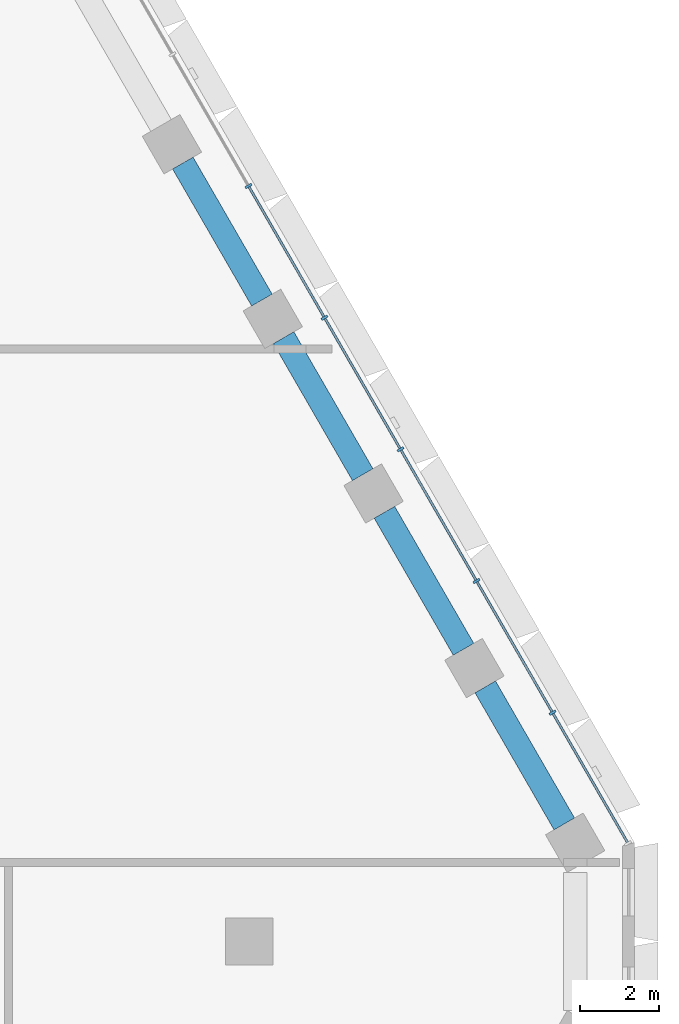
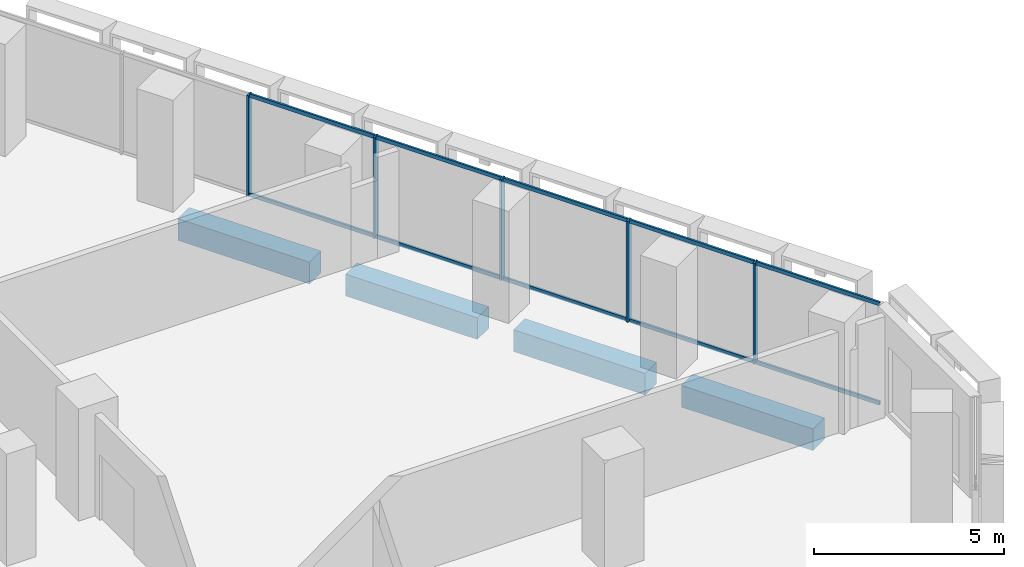
# One storey, part 8 of 25: 15 members, 4 beams, 1 element without a shape of its own.
"""IFC4 building model written with IfcOpenShell, lengths in metres."""

from ifc_helpers import new_model, si_unit, direction, frame, origin, origin_2d, place, context, subcontext, project, spatial, rectangle, hollow_rectangle, extrude, material, material_profile, profile_set, type_object, element, aggregate, save


model = new_model("IFC4")

# Units and contexts
model_context = context("Model", 3, precision=1e-05, world=origin(), true_north=direction((0.0, 1.0)))
body_context = subcontext(model_context, "Body", "Model", "MODEL_VIEW")
ifc_project = project(units=[si_unit("LENGTHUNIT", "METRE"), si_unit("AREAUNIT", "SQUARE_METRE"), si_unit("VOLUMEUNIT", "CUBIC_METRE"), si_unit("PLANEANGLEUNIT", "RADIAN"), si_unit("MASSUNIT", "GRAM", prefix="KILO")], contexts=[model_context])

# Site, building, storey
site_placement = place(None, origin())
site = spatial("IfcSite", under=ifc_project, at=site_placement, CompositionType="ELEMENT")
building_placement = place(site_placement, origin())
building = spatial("IfcBuilding", under=site, at=building_placement, Name="Beryl Residences", CompositionType="ELEMENT")
storey_placement = place(building_placement, frame((0.0, 0.0, 16.199951171875)))
storey = spatial("IfcBuildingStorey", under=building, at=storey_placement, Name="L04", CompositionType="ELEMENT", Elevation=16.199951171875)

# Curtain wall, members
ifc_material_1 = material(Name="Aluminium and clear glass", Category="aluminium")
curtain_wall_type = type_object("IfcCurtainWallType", Name="CW2 amenity glazing glazed wall", PredefinedType="NOTDEFINED", material=ifc_material_1)
curtain_wall_placement = place(storey_placement, origin())
curtain_wall = element("IfcCurtainWall", 1, at=curtain_wall_placement, inside=storey, type_object=curtain_wall_type, Name="CW2 L04 NE", PredefinedType="NOTDEFINED")
ifc_material_2 = material(Name="Aluminium", Category="aluminium")
ifc_material_profile_1 = material_profile(ifc_material_2, rectangle(XDim=0.06005859375, YDim=0.179931640625, at=origin_2d()))
ifc_profile_set_1 = profile_set([ifc_material_profile_1], Name="Aluminium")
member_type_1 = type_object("IfcMemberType", Name="CW2-M mullion 60 x 180 mm", PredefinedType="MULLION", material=ifc_profile_set_1)
member_1_placement = place(storey_placement, frame((29.275634765625, 5.79296875, 0.0), z_axis=(0.0, 0.0, 1.0), x_axis=(-0.500011643322, 0.866018681405, 0.0)))
member_1 = element("IfcMember", 2, at=member_1_placement, type_object=member_type_1, Name="CW2 mullion 2", PredefinedType="MULLION", context=body_context, shape_type="SweptSolid", body=[
    extrude(rectangle(XDim=0.06005859375, YDim=0.179931640625, at=origin_2d()), origin(), (0.0, 0.0, 1.0), 3.25),
])
member_2_placement = place(storey_placement, frame((27.351318359375, 9.125732421875, 0.0), z_axis=(0.0, 0.0, 1.0), x_axis=(-0.500011643322, 0.866018681405, 0.0)))
member_2 = element("IfcMember", 3, at=member_2_placement, type_object=member_type_1, Name="CW2 mullion 3", PredefinedType="MULLION", context=body_context, shape_type="SweptSolid", body=[
    extrude(rectangle(XDim=0.06005859375, YDim=0.179931640625, at=origin_2d()), origin(), (0.0, 0.0, 1.0), 3.25),
])
member_3_placement = place(storey_placement, frame((25.42724609375, 12.45849609375, 0.0), z_axis=(0.0, 0.0, 1.0), x_axis=(-0.500011643322, 0.866018681405, 0.0)))
member_3 = element("IfcMember", 4, at=member_3_placement, type_object=member_type_1, Name="CW2 mullion 4", PredefinedType="MULLION", context=body_context, shape_type="SweptSolid", body=[
    extrude(rectangle(XDim=0.06005859375, YDim=0.179931640625, at=origin_2d()), origin(), (0.0, 0.0, 1.0), 3.25),
])
member_4_placement = place(storey_placement, frame((23.5029296875, 15.79150390625, 0.0), z_axis=(0.0, 0.0, 1.0), x_axis=(-0.500011643322, 0.866018681405, 0.0)))
member_4 = element("IfcMember", 5, at=member_4_placement, type_object=member_type_1, Name="CW2 mullion 5", PredefinedType="MULLION", context=body_context, shape_type="SweptSolid", body=[
    extrude(rectangle(XDim=0.06005859375, YDim=0.179931640625, at=origin_2d()), origin(), (0.0, 0.0, 1.0), 3.25),
])
member_5_placement = place(storey_placement, frame((21.57861328125, 19.124267578125, 0.0), z_axis=(0.0, 0.0, 1.0), x_axis=(-0.500011643322, 0.866018681405, 0.0)))
member_5 = element("IfcMember", 6, at=member_5_placement, type_object=member_type_1, Name="CW2 mullion 6", PredefinedType="MULLION", context=body_context, shape_type="SweptSolid", body=[
    extrude(rectangle(XDim=0.06005859375, YDim=0.179931640625, at=origin_2d()), origin(), (0.0, 0.0, 1.0), 3.25),
])
ifc_material_3 = material(Name="Aluminium", Category="aluminium")
ifc_material_profile_2 = material_profile(ifc_material_3, hollow_rectangle(XDim=0.06005859375, YDim=0.1201171875, WallThickness=0.00390625, at=origin_2d()))
ifc_profile_set_2 = profile_set([ifc_material_profile_2], Name="Aluminium")
member_type_2 = type_object("IfcMemberType", Name="CW2-T transom 60 x 120 mm", PredefinedType="USERDEFINED", material=ifc_profile_set_2)
member_6_placement = place(storey_placement, frame((31.169921875, 2.511962890625, 0.030029296875), z_axis=(-0.499988609959, 0.866031979728, 0.0), x_axis=(-0.866031979728, -0.499988609959, 0.0)))
member_6 = element("IfcMember", 7, at=member_6_placement, type_object=member_type_2, Name="CW2 transom 1.1", ObjectType="TRANSOM", PredefinedType="USERDEFINED", context=body_context, shape_type="SweptSolid", body=[
    extrude(hollow_rectangle(XDim=0.06005859375, YDim=0.1201171875, WallThickness=0.00390625, at=origin_2d()), origin(), (0.0, 0.0, 1.0), 3.75830078125),
])
member_7_placement = place(storey_placement, frame((31.169921875, 2.511962890625, 3.219970703125), z_axis=(-0.499988609959, 0.866031979728, 0.0), x_axis=(-0.866031979728, -0.499988609959, 0.0)))
member_7 = element("IfcMember", 8, at=member_7_placement, type_object=member_type_2, Name="CW2 transom 1.2", ObjectType="TRANSOM", PredefinedType="USERDEFINED", context=body_context, shape_type="SweptSolid", body=[
    extrude(hollow_rectangle(XDim=0.06005859375, YDim=0.1201171875, WallThickness=0.00390625, at=origin_2d()), origin(), (0.0, 0.0, 1.0), 3.75830078125),
])
member_8_placement = place(storey_placement, frame((29.2607421875, 5.81884765625, 0.030029296875), z_axis=(-0.499999503755, 0.866025690291, 0.0), x_axis=(-0.866025690291, -0.499999503755, 0.0)))
member_8 = element("IfcMember", 9, at=member_8_placement, type_object=member_type_2, Name="CW2 transom 2.1", ObjectType="TRANSOM", PredefinedType="USERDEFINED", context=body_context, shape_type="SweptSolid", body=[
    extrude(hollow_rectangle(XDim=0.06005859375, YDim=0.1201171875, WallThickness=0.00390625, at=origin_2d()), origin(), (0.0, 0.0, 1.0), 3.78857421875),
])
member_9_placement = place(storey_placement, frame((29.2607421875, 5.81884765625, 3.219970703125), z_axis=(-0.499999503755, 0.866025690291, 0.0), x_axis=(-0.866025690291, -0.499999503755, 0.0)))
member_9 = element("IfcMember", 10, at=member_9_placement, type_object=member_type_2, Name="CW2 transom 2.2", ObjectType="TRANSOM", PredefinedType="USERDEFINED", context=body_context, shape_type="SweptSolid", body=[
    extrude(hollow_rectangle(XDim=0.06005859375, YDim=0.1201171875, WallThickness=0.00390625, at=origin_2d()), origin(), (0.0, 0.0, 1.0), 3.78857421875),
])
member_10_placement = place(storey_placement, frame((27.33642578125, 9.151611328125, 0.030029296875), z_axis=(-0.499999503755, 0.866025690291, 0.0), x_axis=(-0.866025690291, -0.499999503755, 0.0)))
member_10 = element("IfcMember", 11, at=member_10_placement, type_object=member_type_2, Name="CW2 transom 3.1", ObjectType="TRANSOM", PredefinedType="USERDEFINED", context=body_context, shape_type="SweptSolid", body=[
    extrude(hollow_rectangle(XDim=0.06005859375, YDim=0.1201171875, WallThickness=0.00390625, at=origin_2d()), origin(), (0.0, 0.0, 1.0), 3.78857421875),
])
member_11_placement = place(storey_placement, frame((27.33642578125, 9.151611328125, 3.219970703125), z_axis=(-0.499999503755, 0.866025690291, 0.0), x_axis=(-0.866025690291, -0.499999503755, 0.0)))
member_11 = element("IfcMember", 12, at=member_11_placement, type_object=member_type_2, Name="CW2 transom 3.2", ObjectType="TRANSOM", PredefinedType="USERDEFINED", context=body_context, shape_type="SweptSolid", body=[
    extrude(hollow_rectangle(XDim=0.06005859375, YDim=0.1201171875, WallThickness=0.00390625, at=origin_2d()), origin(), (0.0, 0.0, 1.0), 3.78857421875),
])
member_12_placement = place(storey_placement, frame((25.412109375, 12.484619140625, 0.030029296875), z_axis=(-0.500027408906, 0.866009578667, 0.0), x_axis=(-0.866009578667, -0.500027408906, 0.0)))
member_12 = element("IfcMember", 13, at=member_12_placement, type_object=member_type_2, Name="CW2 transom 4.1", ObjectType="TRANSOM", PredefinedType="USERDEFINED", context=body_context, shape_type="SweptSolid", body=[
    extrude(hollow_rectangle(XDim=0.06005859375, YDim=0.1201171875, WallThickness=0.00390625, at=origin_2d()), origin(), (0.0, 0.0, 1.0), 3.788330078125),
])
member_13_placement = place(storey_placement, frame((25.412109375, 12.484619140625, 3.219970703125), z_axis=(-0.500027408906, 0.866009578667, 0.0), x_axis=(-0.866009578667, -0.500027408906, 0.0)))
member_13 = element("IfcMember", 14, at=member_13_placement, type_object=member_type_2, Name="CW2 transom 4.2", ObjectType="TRANSOM", PredefinedType="USERDEFINED", context=body_context, shape_type="SweptSolid", body=[
    extrude(hollow_rectangle(XDim=0.06005859375, YDim=0.1201171875, WallThickness=0.00390625, at=origin_2d()), origin(), (0.0, 0.0, 1.0), 3.788330078125),
])
member_14_placement = place(storey_placement, frame((23.48779296875, 15.8173828125, 0.030029296875), z_axis=(-0.499999503755, 0.866025690291, 0.0), x_axis=(-0.866025690291, -0.499999503755, 0.0)))
member_14 = element("IfcMember", 15, at=member_14_placement, type_object=member_type_2, Name="CW2 transom 5.1", ObjectType="TRANSOM", PredefinedType="USERDEFINED", context=body_context, shape_type="SweptSolid", body=[
    extrude(hollow_rectangle(XDim=0.06005859375, YDim=0.1201171875, WallThickness=0.00390625, at=origin_2d()), origin(), (0.0, 0.0, 1.0), 3.78857421875),
])
member_15_placement = place(storey_placement, frame((23.48779296875, 15.8173828125, 3.219970703125), z_axis=(-0.499999503755, 0.866025690291, 0.0), x_axis=(-0.866025690291, -0.499999503755, 0.0)))
member_15 = element("IfcMember", 16, at=member_15_placement, type_object=member_type_2, Name="CW2 transom 5.2", ObjectType="TRANSOM", PredefinedType="USERDEFINED", context=body_context, shape_type="SweptSolid", body=[
    extrude(hollow_rectangle(XDim=0.06005859375, YDim=0.1201171875, WallThickness=0.00390625, at=origin_2d()), origin(), (0.0, 0.0, 1.0), 3.78857421875),
])
aggregate(curtain_wall, [member_1, member_2, member_3, member_4, member_5, member_6, member_7, member_8, member_9, member_10, member_11, member_12, member_13, member_14, member_15])

# Beams
ifc_material_4 = material(Name="Concrete C80/95", Category="concrete")
ifc_material_profile_3 = material_profile(ifc_material_4, rectangle(XDim=0.60009765625, YDim=0.699951171875, at=origin_2d()))
ifc_profile_set_3 = profile_set([ifc_material_profile_3], Name="Concrete C80/95")
beam_type = type_object("IfcBeamType", Name="SB1 spandrel beam 600 x 700 C80/95", PredefinedType="SPANDREL", material=ifc_profile_set_3)
beam_placement = place(storey_placement, frame((29.572998046875, 2.97607421875, -0.699951171875), z_axis=(-0.499653843024, 0.866225165388, 0.0), x_axis=(-0.866225165388, -0.499653843024, 0.0)))
element("IfcBeam", 17, at=beam_placement, inside=storey, type_object=beam_type, Name="SB1 L04 NE-0", PredefinedType="SPANDREL", context=body_context, shape_type="SweptSolid", body=[
    extrude(rectangle(XDim=0.60009765625, YDim=0.699951171875, at=origin_2d()), origin(), (0.0, 0.0, 1.0), 4.004638671875),
])
for number, where, z_axis, x_axis, name in (
    (18, (27.02197265625, 7.39697265625, -0.699951171875), (-0.499942357345, 0.866058681229, 0.0), (-0.866058681229, -0.499942357345, 0.0), "SB1 L04 NE-1"),
    (19, (24.469970703125, 11.81689453125, -0.699951171875), (-0.499942357345, 0.866058681229, 0.0), (-0.866058681229, -0.499942357345, 0.0), "SB1 L04 NE-2"),
    (20, (21.91796875, 16.237060546875, -0.699951171875), (-0.499942357345, 0.866058681229, 0.0), (-0.866058681229, -0.499942357345, 0.0), "SB1 L04 NE-3"),
):
    element("IfcBeam", number, at=place(storey_placement, frame(where, z_axis=z_axis, x_axis=x_axis)), inside=storey, type_object=beam_type, Name=name, PredefinedType="SPANDREL", context=body_context, shape_type="SweptSolid", body=[
        extrude(rectangle(XDim=0.60009765625, YDim=0.699951171875, at=origin_2d()), origin(), (0.0, 0.0, 1.0), 4.00439453125),
    ])

save(model, "model.ifc")
